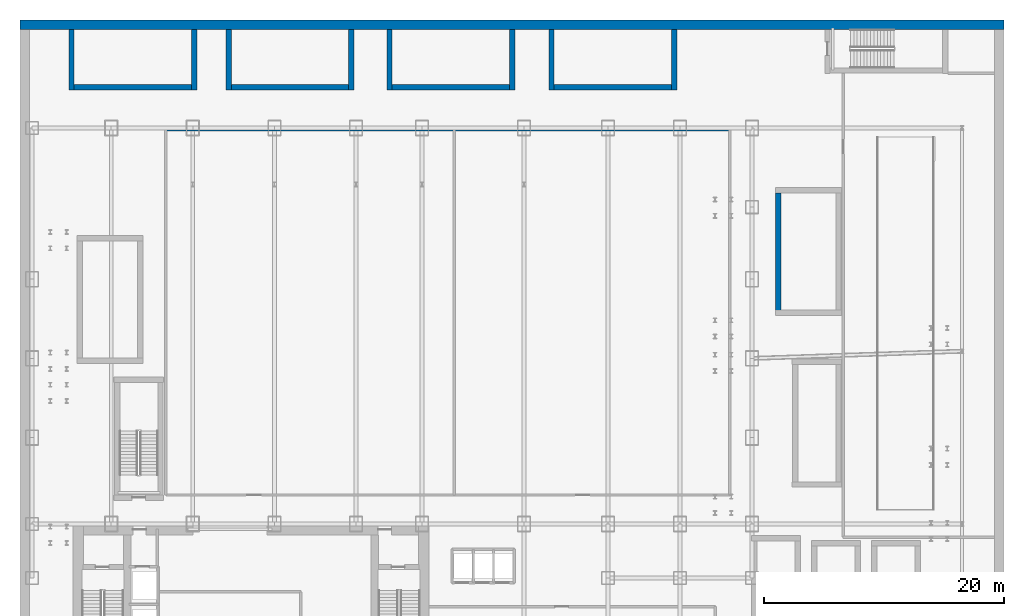
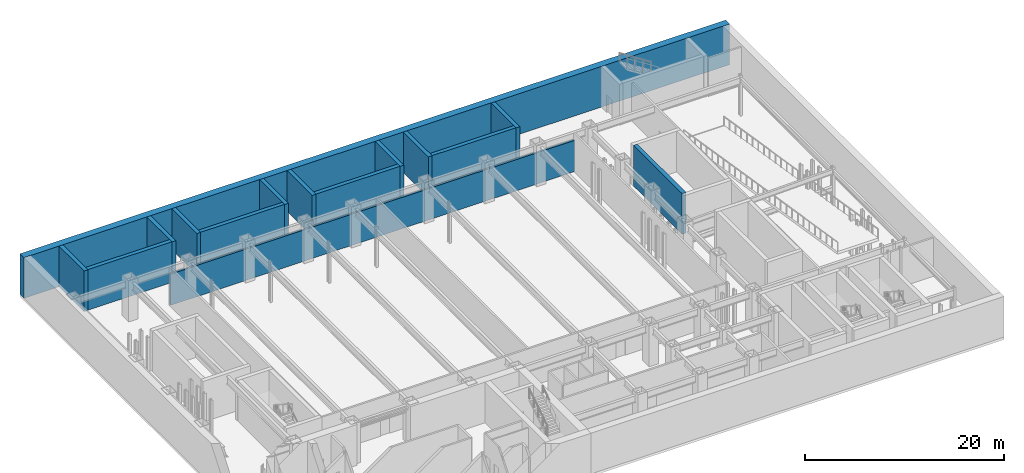
# One storey, part 11 of 16: 15 walls.
"""IFC4 building model written with IfcOpenShell, lengths in metres."""

from ifc_helpers import new_model, si_unit, derived_unit, direction, frame, frame_2d, origin, place, context, subcontext, project, spatial, rectangle, extrude, source, transform, mapped, material, layer, layer_set, type_object, element, save


model = new_model("IFC4")

# Units and contexts
model_context = context("Model", 3, precision=1e-05, world=origin(), true_north=direction((0.0, 1.0)))
body_context = subcontext(model_context, "Body", "Model", "MODEL_VIEW")
ifc_project = project(units=[si_unit("LENGTHUNIT", "METRE"), si_unit("AREAUNIT", "SQUARE_METRE"), si_unit("VOLUMEUNIT", "CUBIC_METRE"), si_unit("PLANEANGLEUNIT", "RADIAN"), si_unit("MASSUNIT", "GRAM", prefix="KILO"), derived_unit("THERMALTRANSMITTANCEUNIT", [(si_unit("POWERUNIT", "WATT"), 1), (si_unit("LENGTHUNIT", "METRE"), -2), (si_unit("THERMODYNAMICTEMPERATUREUNIT", "KELVIN"), -1)])], contexts=[model_context])

# Site, building, storey
site_placement = place(None, origin())
site = spatial("IfcSite", under=ifc_project, at=site_placement, CompositionType="ELEMENT")
building_placement = place(site_placement, origin())
building = spatial("IfcBuilding", under=site, at=building_placement, Name="Skarnbrae Concourse Arena and Tower", CompositionType="ELEMENT")
storey_placement = place(building_placement, frame((0.0, 0.0, -5.0)))
storey = spatial("IfcBuildingStorey", under=building, at=storey_placement, Name="B01", CompositionType="ELEMENT", Elevation=-5.0)

# Walls
ifc_material_1 = material(Name="Concrete 50 MPa (C50/60)", Category="concrete")
ifc_layer_1 = layer(ifc_material_1, 0.800048828125)
ifc_layer_set_1 = layer_set([ifc_layer_1], Name="Concrete 50 MPa (C50/60)")
wall_type_1 = type_object("IfcWallType", Name="WALL-RETAINING-800", PredefinedType="USERDEFINED", material=ifc_layer_set_1)
shared_shape_1 = source(origin(), body_context, "Body", "SweptSolid", [
    extrude(rectangle(XDim=82.0, YDim=0.800048828125, at=frame_2d((41.0, 0.0))), origin(), (0.0, 0.0, 1.0), 5.0),
])
wall_1_placement = place(storey_placement, frame((0.0, 55.60009765625, 0.0), z_axis=(0.0, 0.0, 1.0), x_axis=(1.0, 0.0, 0.0)))
element("IfcWall", 1, at=wall_1_placement, inside=storey, type_object=wall_type_1, Name="B01 Basement retaining wall RW-N", ObjectType="RETAINING WALL", PredefinedType="USERDEFINED", context=body_context, shape_type="MappedRepresentation", body=[
    mapped(shared_shape_1, transform((0.0, 0.0, 0.0))),
])
ifc_layer_2 = layer(ifc_material_1, 0.449951171875)
ifc_layer_set_2 = layer_set([ifc_layer_2], Name="Concrete 50 MPa (C50/60)")
wall_type_2 = type_object("IfcWallType", Name="WALL-CORE-450-C50", PredefinedType="SHEAR", material=ifc_layer_set_2)
shared_shape_2 = source(origin(), body_context, "Body", "SweptSolid", [
    extrude(rectangle(XDim=9.800048828125, YDim=0.449951171875, at=frame_2d((4.89990234375, 0.0))), origin(), (0.0, 0.0, 1.0), 5.0),
])
for number, where, z_axis, x_axis, name in (
    (2, (63.195068359375, 31.800048828125, 0.0), (0.0, 0.0, 1.0), (0.0, 1.0, 0.0), "B01 Protected stair shaft wall ST-A4-W"),
    (3, (4.5, 50.39501953125, 0.0), (0.0, 0.0, 1.0), (1.0, 0.0, 0.0), "B01 Protected stair shaft wall ST-A5-S"),
    (4, (31.0, 50.39501953125, 0.0), (0.0, 0.0, 1.0), (1.0, 0.0, 0.0), "B01 Protected stair shaft wall ST-A7-S"),
    (5, (44.5, 50.39501953125, 0.0), (0.0, 0.0, 1.0), (1.0, 0.0, 0.0), "B01 Protected stair shaft wall ST-A8-S"),
):
    element("IfcWall", number, at=place(storey_placement, frame(where, z_axis=z_axis, x_axis=x_axis)), inside=storey, type_object=wall_type_2, Name=name, PredefinedType="SHEAR", context=body_context, shape_type="MappedRepresentation", body=[
        mapped(shared_shape_2, transform((0.0, 0.0, 0.0))),
    ])
shared_shape_3 = source(origin(), body_context, "Body", "SweptSolid", [
    extrude(rectangle(XDim=5.050048828125, YDim=0.449951171875, at=frame_2d((2.52490234375, 0.0))), origin(), (0.0, 0.0, 1.0), 5.0),
])
for number, where, z_axis, x_axis, name in (
    (6, (4.294921875, 50.14990234375, 0.0), (0.0, 0.0, 1.0), (0.0, 1.0, 0.0), "B01 Protected stair shaft wall ST-A5-W"),
    (7, (14.5048828125, 50.14990234375, 0.0), (0.0, 0.0, 1.0), (0.0, 1.0, 0.0), "B01 Protected stair shaft wall ST-A5-E"),
    (8, (17.39501953125, 50.14990234375, 0.0), (0.0, 0.0, 1.0), (0.0, 1.0, 0.0), "B01 Protected stair shaft wall ST-A6-W"),
    (9, (27.60498046875, 50.14990234375, 0.0), (0.0, 0.0, 1.0), (0.0, 1.0, 0.0), "B01 Protected stair shaft wall ST-A6-E"),
    (10, (30.794921875, 50.14990234375, 0.0), (0.0, 0.0, 1.0), (0.0, 1.0, 0.0), "B01 Protected stair shaft wall ST-A7-W"),
    (11, (41.0048828125, 50.14990234375, 0.0), (0.0, 0.0, 1.0), (0.0, 1.0, 0.0), "B01 Protected stair shaft wall ST-A7-E"),
    (12, (44.294921875, 50.14990234375, 0.0), (0.0, 0.0, 1.0), (0.0, 1.0, 0.0), "B01 Protected stair shaft wall ST-A8-W"),
    (13, (54.5048828125, 50.14990234375, 0.0), (0.0, 0.0, 1.0), (0.0, 1.0, 0.0), "B01 Protected stair shaft wall ST-A8-E"),
):
    element("IfcWall", number, at=place(storey_placement, frame(where, z_axis=z_axis, x_axis=x_axis)), inside=storey, type_object=wall_type_2, Name=name, PredefinedType="SHEAR", context=body_context, shape_type="MappedRepresentation", body=[
        mapped(shared_shape_3, transform((0.0, 0.0, 0.0))),
    ])
shared_shape_4 = source(origin(), body_context, "Body", "SweptSolid", [
    extrude(rectangle(XDim=9.7998046875, YDim=0.449951171875, at=frame_2d((4.89990234375, 0.0))), origin(), (0.0, 0.0, 1.0), 5.0),
])
wall_2_placement = place(storey_placement, frame((17.60009765625, 50.39501953125, 0.0), z_axis=(0.0, 0.0, 1.0), x_axis=(1.0, 0.0, 0.0)))
element("IfcWall", 14, at=wall_2_placement, inside=storey, type_object=wall_type_2, Name="B01 Protected stair shaft wall ST-A6-S", PredefinedType="SHEAR", context=body_context, shape_type="MappedRepresentation", body=[
    mapped(shared_shape_4, transform((0.0, 0.0, 0.0))),
])
ifc_material_2 = material(Name="Gypsum board on cold-formed steel studs", Category="steel")
ifc_layer_3 = layer(ifc_material_2, 0.199951171875)
ifc_layer_set_3 = layer_set([ifc_layer_3], Name="Gypsum board on cold-formed steel studs")
wall_type_3 = type_object("IfcWallType", Name="WALL-PART-200-2HR", PredefinedType="PARTITIONING", material=ifc_layer_set_3)
shared_shape_5 = source(origin(), body_context, "Body", "SweptSolid", [
    extrude(rectangle(XDim=47.0, YDim=0.199951171875, at=frame_2d((23.5, 0.0))), origin(), (0.0, 0.0, 1.0), 3.843994140625),
])
wall_3_placement = place(storey_placement, frame((12.14990234375, 46.85009765625, 0.0), z_axis=(0.0, 0.0, 1.0), x_axis=(1.0, 0.0, 0.0)))
element("IfcWall", 15, at=wall_3_placement, inside=storey, type_object=wall_type_3, Name="B01 Interior partition wall W-B01-BC-TOP", PredefinedType="PARTITIONING", context=body_context, shape_type="MappedRepresentation", body=[
    mapped(shared_shape_5, transform((0.0, 0.0, 0.0))),
])

save(model, "model.ifc")
